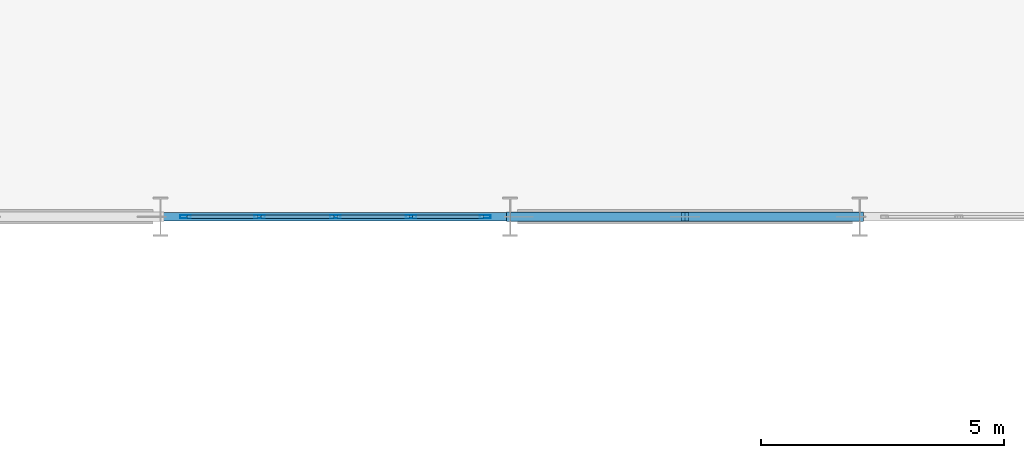
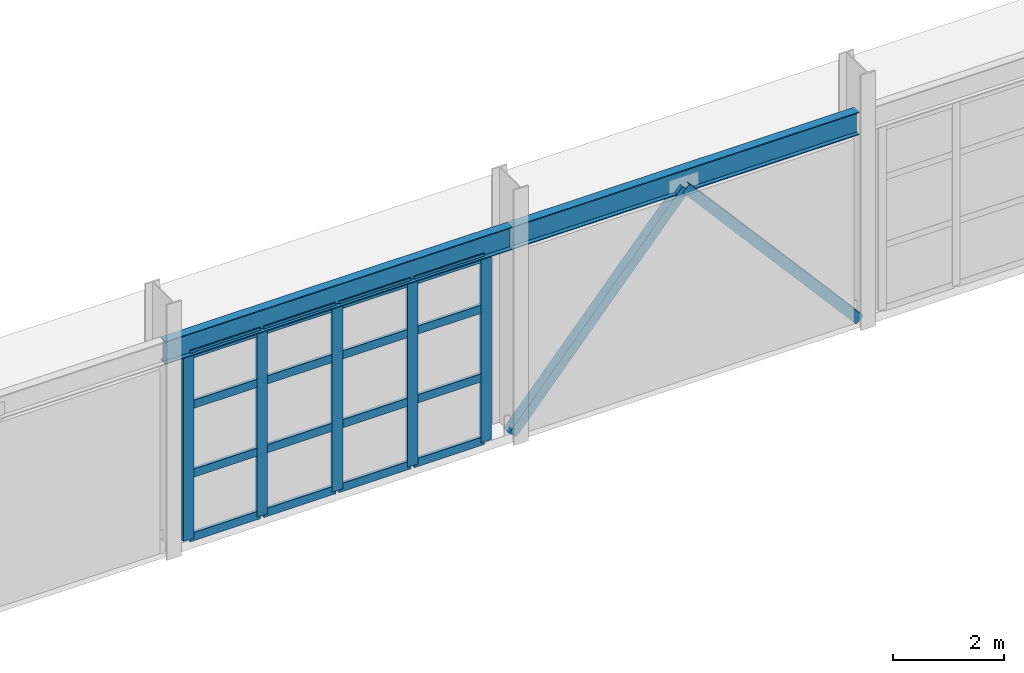
# One storey, part 53 of 126: 23 members, 2 beams, 1 element without a shape of its own.
"""IFC4 building model written with IfcOpenShell, lengths in metres."""

import ifcopenshell
import ifcopenshell.guid

model = None  # the IFC model being written
_history = None  # IfcOwnerHistory: only IFC2X3 demands one
_inside = {}  # id of a spatial element -> (the spatial element, [elements in it])
_under = {}  # id of a project, library or spatial element -> (it, [spatial elements below it])
_declared = {}  # id of a project -> (the project, [libraries it declares])
_typed = {}  # id of a type object -> (the type object, [elements of that type])
_made_of = {}  # id of a material, layer set ... -> (it, [elements and type objects made of it])


def new_model(schema):
    """Start an empty IFC model of exactly this schema.

    Asked for "IFC4X3", IfcOpenShell would pick the latest addendum, in which some entities
    have other attributes; the version numbers below select the first issue.
    IFC2X3 requires an IfcOwnerHistory on every rooted entity: one is made here for all.
    """
    global model, _history
    if schema == "IFC4X3":
        model = ifcopenshell.file(schema_version=(4, 3, 0, 0))
    else:
        model = ifcopenshell.file(schema=schema)
    _inside.clear()
    _under.clear()
    _declared.clear()
    _typed.clear()
    _made_of.clear()
    _history = None
    if model.schema == "IFC2X3":
        org = make("IfcOrganization", Name="unknown")
        user = make(
            "IfcPersonAndOrganization",
            ThePerson=make("IfcPerson", FamilyName="unknown"),
            TheOrganization=org,
        )
        app = make(
            "IfcApplication",
            ApplicationDeveloper=org,
            Version="unknown",
            ApplicationFullName="unknown",
            ApplicationIdentifier="unknown",
        )
        _history = make(
            "IfcOwnerHistory",
            OwningUser=user,
            OwningApplication=app,
            ChangeAction="ADDED",
            CreationDate=0,
        )
    return model


def make(cls, **values):
    """One entity of the class cls with the attributes given. An attribute that is None is left unset."""
    return model.create_entity(
        cls, **{name: value for name, value in values.items() if value is not None}
    )


def rooted(cls, **values):
    """An entity with a GlobalId (a new one), such as an element, a storey or a relation."""
    return make(cls, GlobalId=ifcopenshell.guid.new(), OwnerHistory=_history, **values)


def si_unit(unit_type, name, prefix=None):
    """IfcSIUnit, for example si_unit("LENGTHUNIT", "METRE", prefix="MILLI")."""
    return make("IfcSIUnit", UnitType=unit_type, Prefix=prefix, Name=name)


def assignment(units):
    """IfcUnitAssignment: the units of a project."""
    return None if units is None else make("IfcUnitAssignment", Units=units)


def point(xyz):
    """IfcCartesianPoint."""
    return None if xyz is None else make("IfcCartesianPoint", Coordinates=xyz)


def direction(xyz):
    """IfcDirection."""
    return None if xyz is None else make("IfcDirection", DirectionRatios=xyz)


def frame(location, z_axis=None, x_axis=None):
    """IfcAxis2Placement3D, a coordinate frame: its origin and axes. An axis left out is left unset."""
    return make(
        "IfcAxis2Placement3D",
        Location=point(location),
        Axis=direction(z_axis),
        RefDirection=direction(x_axis),
    )


def frame_2d(location, x_axis=None):
    """IfcAxis2Placement2D, a coordinate frame in the plane: its origin and x axis."""
    return make(
        "IfcAxis2Placement2D", Location=point(location), RefDirection=direction(x_axis)
    )


def origin():
    """The frame at (0, 0, 0) with its axes left unset."""
    return frame((0.0, 0.0, 0.0))


def origin_2d():
    """The frame at (0, 0) in the plane with its x axis left unset."""
    return frame_2d((0.0, 0.0))


def place(relative_to, where):
    """IfcLocalPlacement: puts the frame where relative to a parent placement (None: the world)."""
    return make(
        "IfcLocalPlacement", PlacementRelTo=relative_to, RelativePlacement=where
    )


def context(
    kind, dimensions, precision=None, world=None, true_north=None, identifier=None
):
    """IfcGeometricRepresentationContext, for example the 3D "Model" context."""
    return make(
        "IfcGeometricRepresentationContext",
        ContextIdentifier=identifier,
        ContextType=kind,
        CoordinateSpaceDimension=dimensions,
        Precision=precision,
        WorldCoordinateSystem=world,
        TrueNorth=true_north,
    )


def subcontext(parent, identifier, kind, view, scale=None):
    """IfcGeometricRepresentationSubContext, for example "Body" below "Model"."""
    return make(
        "IfcGeometricRepresentationSubContext",
        ContextIdentifier=identifier,
        ContextType=kind,
        ParentContext=parent,
        TargetScale=scale,
        TargetView=view,
    )


def project(units=None, contexts=None):
    """IfcProject with its units and contexts."""
    return rooted(
        "IfcProject",
        Name="project",
        RepresentationContexts=contexts,
        UnitsInContext=assignment(units),
    )


def spatial(cls, under=None, at=None, **own):
    """A site, building, storey or space (cls), placed at a placement, below another one or the project."""
    s = rooted(cls, ObjectPlacement=at, **own)
    if under is not None:
        _under.setdefault(under.id(), (under, []))[1].append(s)
    return s


def profile(cls, at=None, kind="AREA", **sizes):
    """A parametric profile (cls). Its sizes go by their IFC names, for example OverallWidth=200.0."""
    return make(cls, ProfileType=kind, Position=at, **sizes)


def hollow_rectangle(**sizes):
    """IfcRectangleHollowProfileDef."""
    return profile("IfcRectangleHollowProfileDef", **sizes)


def i_section(**sizes):
    """IfcIShapeProfileDef."""
    return profile("IfcIShapeProfileDef", **sizes)


def extrude(swept, where, along, depth):
    """IfcExtrudedAreaSolid: the profile swept, set in the frame where, extruded along a direction by depth."""
    return make(
        "IfcExtrudedAreaSolid",
        SweptArea=swept,
        Position=where,
        ExtrudedDirection=direction(along),
        Depth=depth,
    )


def shape(context_of_items, identifier, shape_type, items):
    """IfcShapeRepresentation: the items that make up one representation, for example the "Body"."""
    return make(
        "IfcShapeRepresentation",
        ContextOfItems=context_of_items,
        RepresentationIdentifier=identifier,
        RepresentationType=shape_type,
        Items=items,
    )


def material(Name=None, Category=None):
    """IfcMaterial."""
    return make("IfcMaterial", Name=Name, Category=Category)


def layer(
    of_material, thickness, ventilated=None, Name=None, Category=None, Priority=None
):
    """IfcMaterialLayer: one layer of a wall or slab, of a material (None: an air gap)."""
    return make(
        "IfcMaterialLayer",
        Material=of_material,
        LayerThickness=thickness,
        IsVentilated=ventilated,
        Name=Name,
        Category=Category,
        Priority=Priority,
    )


def layer_set(layers, Name=None):
    """IfcMaterialLayerSet."""
    return make("IfcMaterialLayerSet", MaterialLayers=layers, LayerSetName=Name)


def material_profile(
    of_material, cross_section, Name=None, Category=None, Priority=None
):
    """IfcMaterialProfile: a cross section and its material."""
    return make(
        "IfcMaterialProfile",
        Name=Name,
        Material=of_material,
        Profile=cross_section,
        Priority=Priority,
        Category=Category,
    )


def profile_set(profiles, Name=None, composite=None):
    """IfcMaterialProfileSet."""
    return make(
        "IfcMaterialProfileSet",
        Name=Name,
        MaterialProfiles=profiles,
        CompositeProfile=composite,
    )


def made_of(thing, what):
    """Note that an element or type object is made of a material, layer set ...; save() writes the relation."""
    if what is not None:
        _made_of.setdefault(what.id(), (what, []))[1].append(thing)
    return thing


def type_object(cls, material=None, **own):
    """A type object (cls), such as IfcWallType, which elements share."""
    return made_of(rooted(cls, **own), material)


def element(
    cls,
    number,
    at=None,
    inside=None,
    cuts=None,
    type_object=None,
    material=None,
    context=None,
    identifier="Body",
    shape_type=None,
    held_by="IfcProductDefinitionShape",
    body=None,
    shapes=None,
    **own,
):
    """One element of the class cls, such as IfcWall. Its Tag is "e" and its number.

    at: its placement. inside: the storey or other place that contains it. cuts: it is an
    opening in that element (IfcRelVoidsElement). A single representation is given by context,
    identifier, shape_type and body (its items); several are given by shapes. held_by: the class
    of the entity that holds the representations. save() writes the other relations.
    """
    e = rooted(cls, Tag="e%d" % number, ObjectPlacement=at, **own)
    if body is not None:
        shapes = [shape(context, identifier, shape_type, body)]
    if shapes is not None:
        e.Representation = make(held_by, Representations=shapes)
    if inside is not None:
        _inside.setdefault(inside.id(), (inside, []))[1].append(e)
    if cuts is not None:
        rooted(
            "IfcRelVoidsElement", RelatingBuildingElement=cuts, RelatedOpeningElement=e
        )
    if type_object is not None:
        _typed.setdefault(type_object.id(), (type_object, []))[1].append(e)
    return made_of(e, material)


def aggregate(whole, parts):
    """IfcRelAggregates: a whole, such as a stair, and the parts it consists of."""
    return rooted("IfcRelAggregates", RelatingObject=whole, RelatedObjects=parts)


def save(model, path):
    """Write the relations noted so far, then the file.

    IfcRelAggregates (storeys below a building ...), IfcRelContainedInSpatialStructure (elements
    in a storey), IfcRelDefinesByType, IfcRelAssociatesMaterial and IfcRelDeclares: one each for
    every whole, place, type object, material and project.
    """
    for whole, parts in _under.values():
        aggregate(whole, parts)
    for where, things in _inside.values():
        rooted(
            "IfcRelContainedInSpatialStructure",
            RelatedElements=things,
            RelatingStructure=where,
        )
    for kind, things in _typed.values():
        rooted("IfcRelDefinesByType", RelatedObjects=things, RelatingType=kind)
    for what, things in _made_of.values():
        rooted("IfcRelAssociatesMaterial", RelatedObjects=things, RelatingMaterial=what)
    for by, libraries in _declared.values():
        rooted("IfcRelDeclares", RelatingContext=by, RelatedDefinitions=libraries)
    model.write(path)


model = new_model("IFC4")

# Units and contexts
model_context = context("Model", 3, precision=1e-05, world=origin(), true_north=direction((0.0, 1.0)))
body_context = subcontext(model_context, "Body", "Model", "MODEL_VIEW")
ifc_project = project(units=[si_unit("LENGTHUNIT", "METRE"), si_unit("AREAUNIT", "SQUARE_METRE"), si_unit("VOLUMEUNIT", "CUBIC_METRE"), si_unit("PLANEANGLEUNIT", "RADIAN"), si_unit("MASSUNIT", "GRAM", prefix="KILO")], contexts=[model_context])

# Site, building, storey
site_placement = place(None, origin())
site = spatial("IfcSite", under=ifc_project, at=site_placement, CompositionType="ELEMENT")
building_placement = place(site_placement, origin())
building = spatial("IfcBuilding", under=site, at=building_placement, Name="Solvadek Multi-Sports Hall", CompositionType="ELEMENT")
storey_placement = place(building_placement, frame((0.0, 0.0, 9.60009765625)))
storey = spatial("IfcBuildingStorey", under=building, at=storey_placement, Name="L02", CompositionType="ELEMENT", Elevation=9.60009765625)

# Curtain wall, members
ifc_material_1 = material(Name="Anodised aluminium", Category="aluminium")
ifc_layer = layer(ifc_material_1, 0.159912109375, Name="Anodised aluminium")
ifc_layer_set = layer_set([ifc_layer], Name="Anodised aluminium")
curtain_wall_type = type_object("IfcCurtainWallType", Name="ENV-CW-624X408", PredefinedType="USERDEFINED", material=ifc_layer_set)
curtain_wall_placement = place(storey_placement, origin())
curtain_wall = element("IfcCurtainWall", 1, at=curtain_wall_placement, inside=storey, type_object=curtain_wall_type, Name="L02 Perimeter Bay Curtain Wall #125", ObjectType="CURTAIN WALL", PredefinedType="USERDEFINED")
ifc_material_profile_1 = material_profile(ifc_material_1, hollow_rectangle(XDim=0.06494140625, YDim=0.219970703125, WallThickness=0.0048828125, at=origin_2d()), Name="ALU-M 220x65x5")
ifc_profile_set_1 = profile_set([ifc_material_profile_1], Name="Anodised aluminium")
member_type_1 = type_object("IfcMemberType", Name="ENV-CWM-04", PredefinedType="MULLION", material=ifc_profile_set_1)
member_1_placement = place(storey_placement, frame((101.3125, 42.0, 0.0), z_axis=(0.0, 0.0, 1.0), x_axis=(0.0, 1.0, 0.0)))
member_1 = element("IfcMember", 2, at=member_1_placement, type_object=member_type_1, Name="CW-40 mullion 1", PredefinedType="MULLION", context=body_context, shape_type="SweptSolid", body=[
    extrude(hollow_rectangle(XDim=0.06494140625, YDim=0.219970703125, WallThickness=0.0048828125, at=origin_2d()), origin(), (0.0, 0.0, 1.0), 4.074951171875),
])
member_2_placement = place(storey_placement, frame((102.840087890625, 42.0, 0.0), z_axis=(0.0, 0.0, 1.0), x_axis=(0.0, 1.0, 0.0)))
member_2 = element("IfcMember", 3, at=member_2_placement, type_object=member_type_1, Name="CW-40 mullion 2", PredefinedType="MULLION", context=body_context, shape_type="SweptSolid", body=[
    extrude(hollow_rectangle(XDim=0.06494140625, YDim=0.219970703125, WallThickness=0.0048828125, at=origin_2d()), origin(), (0.0, 0.0, 1.0), 4.074951171875),
])
member_3_placement = place(storey_placement, frame((104.39990234375, 42.0, 0.0), z_axis=(0.0, 0.0, 1.0), x_axis=(0.0, 1.0, 0.0)))
member_3 = element("IfcMember", 4, at=member_3_placement, type_object=member_type_1, Name="CW-40 mullion 3", PredefinedType="MULLION", context=body_context, shape_type="SweptSolid", body=[
    extrude(hollow_rectangle(XDim=0.06494140625, YDim=0.219970703125, WallThickness=0.0048828125, at=origin_2d()), origin(), (0.0, 0.0, 1.0), 4.074951171875),
])
member_4_placement = place(storey_placement, frame((105.9599609375, 42.0, 0.0), z_axis=(0.0, 0.0, 1.0), x_axis=(0.0, 1.0, 0.0)))
member_4 = element("IfcMember", 5, at=member_4_placement, type_object=member_type_1, Name="CW-40 mullion 4", PredefinedType="MULLION", context=body_context, shape_type="SweptSolid", body=[
    extrude(hollow_rectangle(XDim=0.06494140625, YDim=0.219970703125, WallThickness=0.0048828125, at=origin_2d()), origin(), (0.0, 0.0, 1.0), 4.074951171875),
])
member_5_placement = place(storey_placement, frame((107.487548828125, 42.0, 0.0), z_axis=(0.0, 0.0, 1.0), x_axis=(0.0, 1.0, 0.0)))
member_5 = element("IfcMember", 6, at=member_5_placement, type_object=member_type_1, Name="CW-40 mullion 5", PredefinedType="MULLION", context=body_context, shape_type="SweptSolid", body=[
    extrude(hollow_rectangle(XDim=0.06494140625, YDim=0.219970703125, WallThickness=0.0048828125, at=origin_2d()), origin(), (0.0, 0.0, 1.0), 4.074951171875),
])
ifc_material_profile_2 = material_profile(ifc_material_1, hollow_rectangle(XDim=0.06494140625, YDim=0.179931640625, WallThickness=0.0048828125, at=origin_2d()), Name="ALU-T 180x65x5")
ifc_profile_set_2 = profile_set([ifc_material_profile_2], Name="Anodised aluminium")
member_type_2 = type_object("IfcMemberType", Name="ENV-CWT-04", PredefinedType="USERDEFINED", material=ifc_profile_set_2)
member_6_placement = place(storey_placement, frame((101.344970703125, 42.0, 0.032470703125), z_axis=(1.0, 0.0, 0.0), x_axis=(0.0, 1.0, 0.0)))
member_6 = element("IfcMember", 7, at=member_6_placement, type_object=member_type_2, Name="CW-40 transom 1.1", ObjectType="TRANSOM", PredefinedType="USERDEFINED", context=body_context, shape_type="SweptSolid", body=[
    extrude(hollow_rectangle(XDim=0.06494140625, YDim=0.179931640625, WallThickness=0.0048828125, at=origin_2d()), origin(), (0.0, 0.0, 1.0), 1.462646484375),
])
member_7_placement = place(storey_placement, frame((101.344970703125, 42.0, 1.42578125), z_axis=(1.0, 0.0, 0.0), x_axis=(0.0, 1.0, 0.0)))
member_7 = element("IfcMember", 8, at=member_7_placement, type_object=member_type_2, Name="CW-40 transom 1.2", ObjectType="TRANSOM", PredefinedType="USERDEFINED", context=body_context, shape_type="SweptSolid", body=[
    extrude(hollow_rectangle(XDim=0.06494140625, YDim=0.179931640625, WallThickness=0.0048828125, at=origin_2d()), origin(), (0.0, 0.0, 1.0), 1.462646484375),
])
member_8_placement = place(storey_placement, frame((101.344970703125, 42.0, 2.933837890625), z_axis=(1.0, 0.0, 0.0), x_axis=(0.0, 1.0, 0.0)))
member_8 = element("IfcMember", 9, at=member_8_placement, type_object=member_type_2, Name="CW-40 transom 1.3", ObjectType="TRANSOM", PredefinedType="USERDEFINED", context=body_context, shape_type="SweptSolid", body=[
    extrude(hollow_rectangle(XDim=0.06494140625, YDim=0.179931640625, WallThickness=0.0048828125, at=origin_2d()), origin(), (0.0, 0.0, 1.0), 1.462646484375),
])
member_9_placement = place(storey_placement, frame((101.344970703125, 42.0, 4.04248046875), z_axis=(1.0, 0.0, 0.0), x_axis=(0.0, 1.0, 0.0)))
member_9 = element("IfcMember", 10, at=member_9_placement, type_object=member_type_2, Name="CW-40 transom 1.4", ObjectType="TRANSOM", PredefinedType="USERDEFINED", context=body_context, shape_type="SweptSolid", body=[
    extrude(hollow_rectangle(XDim=0.06494140625, YDim=0.179931640625, WallThickness=0.0048828125, at=origin_2d()), origin(), (0.0, 0.0, 1.0), 1.462646484375),
])
member_10_placement = place(storey_placement, frame((102.87255859375, 42.0, 0.032470703125), z_axis=(1.0, 0.0, 0.0), x_axis=(0.0, 1.0, 0.0)))
member_10 = element("IfcMember", 11, at=member_10_placement, type_object=member_type_2, Name="CW-40 transom 2.1", ObjectType="TRANSOM", PredefinedType="USERDEFINED", context=body_context, shape_type="SweptSolid", body=[
    extrude(hollow_rectangle(XDim=0.06494140625, YDim=0.179931640625, WallThickness=0.0048828125, at=origin_2d()), origin(), (0.0, 0.0, 1.0), 1.494873046875),
])
member_11_placement = place(storey_placement, frame((102.87255859375, 42.0, 1.42578125), z_axis=(1.0, 0.0, 0.0), x_axis=(0.0, 1.0, 0.0)))
member_11 = element("IfcMember", 12, at=member_11_placement, type_object=member_type_2, Name="CW-40 transom 2.2", ObjectType="TRANSOM", PredefinedType="USERDEFINED", context=body_context, shape_type="SweptSolid", body=[
    extrude(hollow_rectangle(XDim=0.06494140625, YDim=0.179931640625, WallThickness=0.0048828125, at=origin_2d()), origin(), (0.0, 0.0, 1.0), 1.494873046875),
])
member_12_placement = place(storey_placement, frame((102.87255859375, 42.0, 2.933837890625), z_axis=(1.0, 0.0, 0.0), x_axis=(0.0, 1.0, 0.0)))
member_12 = element("IfcMember", 13, at=member_12_placement, type_object=member_type_2, Name="CW-40 transom 2.3", ObjectType="TRANSOM", PredefinedType="USERDEFINED", context=body_context, shape_type="SweptSolid", body=[
    extrude(hollow_rectangle(XDim=0.06494140625, YDim=0.179931640625, WallThickness=0.0048828125, at=origin_2d()), origin(), (0.0, 0.0, 1.0), 1.494873046875),
])
member_13_placement = place(storey_placement, frame((102.87255859375, 42.0, 4.04248046875), z_axis=(1.0, 0.0, 0.0), x_axis=(0.0, 1.0, 0.0)))
member_13 = element("IfcMember", 14, at=member_13_placement, type_object=member_type_2, Name="CW-40 transom 2.4", ObjectType="TRANSOM", PredefinedType="USERDEFINED", context=body_context, shape_type="SweptSolid", body=[
    extrude(hollow_rectangle(XDim=0.06494140625, YDim=0.179931640625, WallThickness=0.0048828125, at=origin_2d()), origin(), (0.0, 0.0, 1.0), 1.494873046875),
])
member_14_placement = place(storey_placement, frame((104.4326171875, 42.0, 0.032470703125), z_axis=(1.0, 0.0, 0.0), x_axis=(0.0, 1.0, 0.0)))
member_14 = element("IfcMember", 15, at=member_14_placement, type_object=member_type_2, Name="CW-40 transom 3.1", ObjectType="TRANSOM", PredefinedType="USERDEFINED", context=body_context, shape_type="SweptSolid", body=[
    extrude(hollow_rectangle(XDim=0.06494140625, YDim=0.179931640625, WallThickness=0.0048828125, at=origin_2d()), origin(), (0.0, 0.0, 1.0), 1.494873046875),
])
member_15_placement = place(storey_placement, frame((104.4326171875, 42.0, 1.42578125), z_axis=(1.0, 0.0, 0.0), x_axis=(0.0, 1.0, 0.0)))
member_15 = element("IfcMember", 16, at=member_15_placement, type_object=member_type_2, Name="CW-40 transom 3.2", ObjectType="TRANSOM", PredefinedType="USERDEFINED", context=body_context, shape_type="SweptSolid", body=[
    extrude(hollow_rectangle(XDim=0.06494140625, YDim=0.179931640625, WallThickness=0.0048828125, at=origin_2d()), origin(), (0.0, 0.0, 1.0), 1.494873046875),
])
member_16_placement = place(storey_placement, frame((104.4326171875, 42.0, 2.933837890625), z_axis=(1.0, 0.0, 0.0), x_axis=(0.0, 1.0, 0.0)))
member_16 = element("IfcMember", 17, at=member_16_placement, type_object=member_type_2, Name="CW-40 transom 3.3", ObjectType="TRANSOM", PredefinedType="USERDEFINED", context=body_context, shape_type="SweptSolid", body=[
    extrude(hollow_rectangle(XDim=0.06494140625, YDim=0.179931640625, WallThickness=0.0048828125, at=origin_2d()), origin(), (0.0, 0.0, 1.0), 1.494873046875),
])
member_17_placement = place(storey_placement, frame((104.4326171875, 42.0, 4.04248046875), z_axis=(1.0, 0.0, 0.0), x_axis=(0.0, 1.0, 0.0)))
member_17 = element("IfcMember", 18, at=member_17_placement, type_object=member_type_2, Name="CW-40 transom 3.4", ObjectType="TRANSOM", PredefinedType="USERDEFINED", context=body_context, shape_type="SweptSolid", body=[
    extrude(hollow_rectangle(XDim=0.06494140625, YDim=0.179931640625, WallThickness=0.0048828125, at=origin_2d()), origin(), (0.0, 0.0, 1.0), 1.494873046875),
])
member_18_placement = place(storey_placement, frame((105.992431640625, 42.0, 0.032470703125), z_axis=(1.0, 0.0, 0.0), x_axis=(0.0, 1.0, 0.0)))
member_18 = element("IfcMember", 19, at=member_18_placement, type_object=member_type_2, Name="CW-40 transom 4.1", ObjectType="TRANSOM", PredefinedType="USERDEFINED", context=body_context, shape_type="SweptSolid", body=[
    extrude(hollow_rectangle(XDim=0.06494140625, YDim=0.179931640625, WallThickness=0.0048828125, at=origin_2d()), origin(), (0.0, 0.0, 1.0), 1.462646484375),
])
member_19_placement = place(storey_placement, frame((105.992431640625, 42.0, 1.42578125), z_axis=(1.0, 0.0, 0.0), x_axis=(0.0, 1.0, 0.0)))
member_19 = element("IfcMember", 20, at=member_19_placement, type_object=member_type_2, Name="CW-40 transom 4.2", ObjectType="TRANSOM", PredefinedType="USERDEFINED", context=body_context, shape_type="SweptSolid", body=[
    extrude(hollow_rectangle(XDim=0.06494140625, YDim=0.179931640625, WallThickness=0.0048828125, at=origin_2d()), origin(), (0.0, 0.0, 1.0), 1.462646484375),
])
member_20_placement = place(storey_placement, frame((105.992431640625, 42.0, 2.933837890625), z_axis=(1.0, 0.0, 0.0), x_axis=(0.0, 1.0, 0.0)))
member_20 = element("IfcMember", 21, at=member_20_placement, type_object=member_type_2, Name="CW-40 transom 4.3", ObjectType="TRANSOM", PredefinedType="USERDEFINED", context=body_context, shape_type="SweptSolid", body=[
    extrude(hollow_rectangle(XDim=0.06494140625, YDim=0.179931640625, WallThickness=0.0048828125, at=origin_2d()), origin(), (0.0, 0.0, 1.0), 1.462646484375),
])
member_21_placement = place(storey_placement, frame((105.992431640625, 42.0, 4.04248046875), z_axis=(1.0, 0.0, 0.0), x_axis=(0.0, 1.0, 0.0)))
member_21 = element("IfcMember", 22, at=member_21_placement, type_object=member_type_2, Name="CW-40 transom 4.4", ObjectType="TRANSOM", PredefinedType="USERDEFINED", context=body_context, shape_type="SweptSolid", body=[
    extrude(hollow_rectangle(XDim=0.06494140625, YDim=0.179931640625, WallThickness=0.0048828125, at=origin_2d()), origin(), (0.0, 0.0, 1.0), 1.462646484375),
])
aggregate(curtain_wall, [member_1, member_2, member_3, member_4, member_5, member_6, member_7, member_8, member_9, member_10, member_11, member_12, member_13, member_14, member_15, member_16, member_17, member_18, member_19, member_20, member_21])

# Beams
ifc_material_2 = material(Name="Steel E350 (350 MPa)", Category="steel")
ifc_material_profile_3 = material_profile(ifc_material_2, i_section(OverallWidth=0.179931640625, OverallDepth=0.5, WebThickness=0.01025390625, FlangeThickness=0.01708984375, at=origin_2d()), Name="ISMB 500")
ifc_profile_set_3 = profile_set([ifc_material_profile_3], Name="Steel E350 (350 MPa)")
beam_type = type_object("IfcBeamType", Name="STR-BM-ISMB500", PredefinedType="BEAM", material=ifc_profile_set_3)
for number, where, z_axis, x_axis, name in (
    (23, (100.800048828125, 42.0, 4.309814453125), (1.0, 0.0, 0.0), (0.0, 1.0, 0.0), "L02 Girder B-07 #1356"),
    (24, (108.0, 42.0, 4.309814453125), (1.0, 0.0, 0.0), (0.0, 1.0, 0.0), "L02 Girder B-07 #1357"),
):
    element("IfcBeam", number, at=place(storey_placement, frame(where, z_axis=z_axis, x_axis=x_axis)), inside=storey, type_object=beam_type, Name=name, PredefinedType="BEAM", context=body_context, shape_type="SweptSolid", body=[
        extrude(i_section(OverallWidth=0.179931640625, OverallDepth=0.5, WebThickness=0.01025390625, FlangeThickness=0.01708984375, at=origin_2d()), origin(), (0.0, 0.0, 1.0), 7.199951171875),
    ])

# Members
ifc_material_profile_4 = material_profile(ifc_material_2, hollow_rectangle(XDim=0.199951171875, YDim=0.199951171875, WallThickness=0.010009765625, at=origin_2d()), Name="SHS 200x200x10")
ifc_profile_set_4 = profile_set([ifc_material_profile_4], Name="Steel E350 (350 MPa)")
member_type_3 = type_object("IfcMemberType", Name="STR-BRC-SHS200", PredefinedType="BRACE", material=ifc_profile_set_4)
member_22_placement = place(storey_placement, frame((108.0, 42.0, 0.0), z_axis=(0.655295898412, 0.0, 0.755372282735), x_axis=(0.0, 1.0, 0.0)))
element("IfcMember", 25, at=member_22_placement, inside=storey, type_object=member_type_3, Name="L02 Concentric Chevron Brace #35", PredefinedType="BRACE", context=body_context, shape_type="SweptSolid", body=[
    extrude(hollow_rectangle(XDim=0.199951171875, YDim=0.199951171875, WallThickness=0.010009765625, at=origin_2d()), origin(), (0.0, 0.0, 1.0), 5.493896484375),
])
member_23_placement = place(storey_placement, frame((115.199951171875, 42.0, 0.0), z_axis=(-0.655270541038, 0.0, 0.755394279862), x_axis=(0.0, -1.0, 0.0)))
element("IfcMember", 26, at=member_23_placement, inside=storey, type_object=member_type_3, Name="L02 Concentric Chevron Brace #36", PredefinedType="BRACE", context=body_context, shape_type="SweptSolid", body=[
    extrude(hollow_rectangle(XDim=0.199951171875, YDim=0.199951171875, WallThickness=0.010009765625, at=origin_2d()), origin(), (0.0, 0.0, 1.0), 5.49365234375),
])

save(model, "model.ifc")
